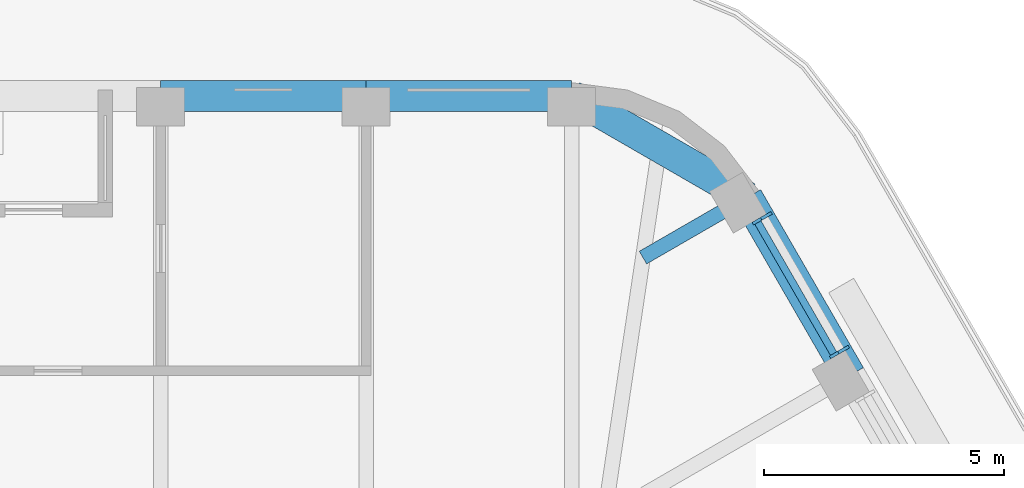
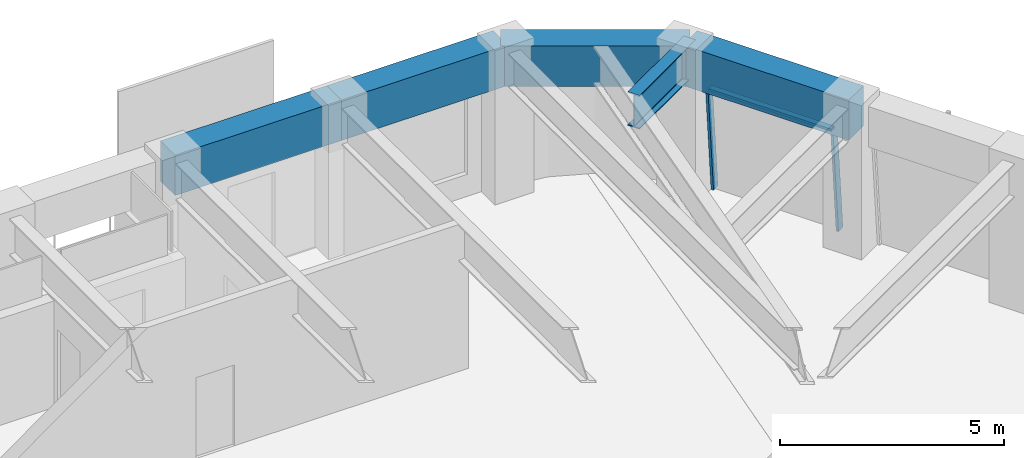
# One storey, part 11 of 19: 5 beams, 3 members, 1 element without a shape of its own.
"""IFC4 building model written with IfcOpenShell, lengths in metres."""

from ifc_helpers import new_model, si_unit, direction, frame, origin, origin_2d, place, context, subcontext, project, spatial, rectangle, i_section, extrude, material, material_profile, profile_set, type_object, element, aggregate, save


model = new_model("IFC4")

# Units and contexts
model_context = context("Model", 3, precision=1e-05, world=origin(), true_north=direction((0.0, 1.0)))
body_context = subcontext(model_context, "Body", "Model", "MODEL_VIEW")
ifc_project = project(units=[si_unit("LENGTHUNIT", "METRE"), si_unit("AREAUNIT", "SQUARE_METRE"), si_unit("VOLUMEUNIT", "CUBIC_METRE"), si_unit("PLANEANGLEUNIT", "RADIAN"), si_unit("MASSUNIT", "GRAM", prefix="KILO")], contexts=[model_context])

# Site, building, storey
site_placement = place(None, origin())
site = spatial("IfcSite", under=ifc_project, at=site_placement, CompositionType="ELEMENT")
building_placement = place(site_placement, origin())
building = spatial("IfcBuilding", under=site, at=building_placement, Name="Tarfa Lantern Tower", CompositionType="ELEMENT")
storey_placement = place(building_placement, frame((0.0, 0.0, 336.699951171875)))
storey = spatial("IfcBuildingStorey", under=building, at=storey_placement, Name="L76", CompositionType="ELEMENT", Elevation=336.699951171875)

# Curtain wall, members
ifc_material_1 = material(Name="Aluminium framed curtain wall", Category="aluminium")
curtain_wall_type = type_object("IfcCurtainWallType", Name="CW4 CANTED GLAZING EXECUTIVE ZONE 2900", PredefinedType="USERDEFINED", material=ifc_material_1)
curtain_wall_placement = place(storey_placement, origin())
curtain_wall = element("IfcCurtainWall", 1, at=curtain_wall_placement, inside=storey, type_object=curtain_wall_type, Name="CW4 NE L76", ObjectType="CURTAIN WALL", PredefinedType="USERDEFINED")
ifc_material_2 = material(Name="Aluminium mullion", Category="aluminium")
ifc_material_profile_1 = material_profile(ifc_material_2, rectangle(XDim=0.06494140625, YDim=0.199951171875, at=origin_2d()), Name="AL MULLION 65x200")
ifc_profile_set_1 = profile_set([ifc_material_profile_1], Name="Aluminium mullion")
member_type_1 = type_object("IfcMemberType", Name="CWM1 MULLION 65x200", PredefinedType="MULLION", material=ifc_profile_set_1)
member_1_placement = place(storey_placement, frame((18.53125, 21.202880859375, 0.0), z_axis=(-0.074393603155, -0.042941967097, 0.996303959277), x_axis=(0.499919672301, -0.866071776036, 0.0)))
member_1 = element("IfcMember", 2, at=member_1_placement, type_object=member_type_1, Name="CW4 mullion 1", PredefinedType="MULLION", context=body_context, shape_type="SweptSolid", body=[
    extrude(rectangle(XDim=0.06494140625, YDim=0.199951171875, at=origin_2d()), origin(), (0.0, 0.0, 1.0), 2.910888671875),
])
member_2_placement = place(storey_placement, frame((16.9228515625, 23.98876953125, 0.0), z_axis=(-0.074393603155, -0.042941967097, 0.996303959277), x_axis=(0.499919672301, -0.866071776036, 0.0)))
member_2 = element("IfcMember", 3, at=member_2_placement, type_object=member_type_1, Name="CW4 mullion 2", PredefinedType="MULLION", context=body_context, shape_type="SweptSolid", body=[
    extrude(rectangle(XDim=0.06494140625, YDim=0.199951171875, at=origin_2d()), origin(), (0.0, 0.0, 1.0), 2.910888671875),
])
ifc_material_3 = material(Name="Aluminium transom", Category="aluminium")
ifc_material_profile_2 = material_profile(ifc_material_3, rectangle(XDim=0.14990234375, YDim=0.06494140625, at=origin_2d()), Name="AL TRANSOM 150x65")
ifc_profile_set_2 = profile_set([ifc_material_profile_2], Name="Aluminium transom")
member_type_2 = type_object("IfcMemberType", Name="CWT1 TRANSOM 150x65", PredefinedType="USERDEFINED", material=ifc_profile_set_2)
member_3_placement = place(storey_placement, frame((18.301025390625, 21.107421875, 2.867431640625), z_axis=(-0.500037562771, 0.866003715822, 0.0), x_axis=(-0.866003715822, -0.500037562771, 0.0)))
member_3 = element("IfcMember", 4, at=member_3_placement, type_object=member_type_2, Name="CW4 transom 1.2", ObjectType="TRANSOM", PredefinedType="USERDEFINED", context=body_context, shape_type="SweptSolid", body=[
    extrude(rectangle(XDim=0.14990234375, YDim=0.06494140625, at=origin_2d()), origin(), (0.0, 0.0, 1.0), 3.152099609375),
])
aggregate(curtain_wall, [member_1, member_2, member_3])

# Beams
ifc_material_4 = material(Name="Concrete C80/95", Category="concrete")
ifc_material_profile_3 = material_profile(ifc_material_4, rectangle(XDim=0.64990234375, YDim=1.10009765625, at=origin_2d()), Name="RC 650x1100")
ifc_profile_set_3 = profile_set([ifc_material_profile_3], Name="Concrete C80/95")
beam_type_1 = type_object("IfcBeamType", Name="EB4 RC 650x1100", PredefinedType="SPANDREL", material=ifc_profile_set_3)
beam_1_placement = place(storey_placement, frame((18.6416015625, 20.651611328125, 3.449951171875), z_axis=(-0.499959351497, 0.866048870937, 0.0), x_axis=(-0.866048870937, -0.499959351497, 0.0)))
element("IfcBeam", 5, at=beam_1_placement, inside=storey, type_object=beam_type_1, Name="Edge beam NE5", PredefinedType="SPANDREL", context=body_context, shape_type="SweptSolid", body=[
    extrude(rectangle(XDim=0.64990234375, YDim=1.10009765625, at=origin_2d()), origin(), (0.0, 0.0, 1.0), 4.281982421875),
])
beam_2_placement = place(storey_placement, frame((16.500732421875, 24.360107421875, 3.449951171875), z_axis=(-0.866048788483, 0.499959494327, 0.0), x_axis=(-0.499959494327, -0.866048788483, 0.0)))
element("IfcBeam", 6, at=beam_2_placement, inside=storey, type_object=beam_type_1, Name="Edge beam NE6", PredefinedType="SPANDREL", context=body_context, shape_type="SweptSolid", body=[
    extrude(rectangle(XDim=0.64990234375, YDim=1.10009765625, at=origin_2d()), origin(), (0.0, 0.0, 1.0), 4.219970703125),
])
for number, where, z_axis, x_axis, name in (
    (7, (12.845947265625, 26.469970703125, 3.449951171875), (-1.0, 0.0, 0.0), (0.0, -1.0, 0.0), "Edge beam N0"),
    (8, (8.56396484375, 26.469970703125, 3.449951171875), (-1.0, 0.0, 0.0), (0.0, -1.0, 0.0), "Edge beam N1"),
):
    element("IfcBeam", number, at=place(storey_placement, frame(where, z_axis=z_axis, x_axis=x_axis)), inside=storey, type_object=beam_type_1, Name=name, PredefinedType="SPANDREL", context=body_context, shape_type="SweptSolid", body=[
        extrude(rectangle(XDim=0.64990234375, YDim=1.10009765625, at=origin_2d()), origin(), (0.0, 0.0, 1.0), 4.281982421875),
    ])
ifc_material_5 = material(Name="Steel S460M", Category="steel")
ifc_material_profile_4 = material_profile(ifc_material_5, i_section(OverallWidth=0.305419921875, OverallDepth=0.91845703125, WebThickness=0.017333984375, FlangeThickness=0.02783203125, FilletRadius=0.01904296875, at=origin_2d()), Name="UB914x305x253")
ifc_profile_set_4 = profile_set([ifc_material_profile_4], Name="Steel S460M")
beam_type_2 = type_object("IfcBeamType", Name="UB914x305x253", PredefinedType="BEAM", material=ifc_profile_set_4)
beam_3_placement = place(storey_placement, frame((16.500732421875, 24.360107421875, 3.540771484375), z_axis=(-0.865992557167, -0.500056887695, 0.0), x_axis=(0.500056887695, -0.865992557167, 0.0)))
element("IfcBeam", 9, at=beam_3_placement, inside=storey, type_object=beam_type_2, Name="Floor beam NE6", PredefinedType="BEAM", context=body_context, shape_type="SweptSolid", body=[
    extrude(i_section(OverallWidth=0.305419921875, OverallDepth=0.91845703125, WebThickness=0.017333984375, FlangeThickness=0.02783203125, FilletRadius=0.01904296875, at=origin_2d()), origin(), (0.0, 0.0, 1.0), 2.506591796875),
])

save(model, "model.ifc")
